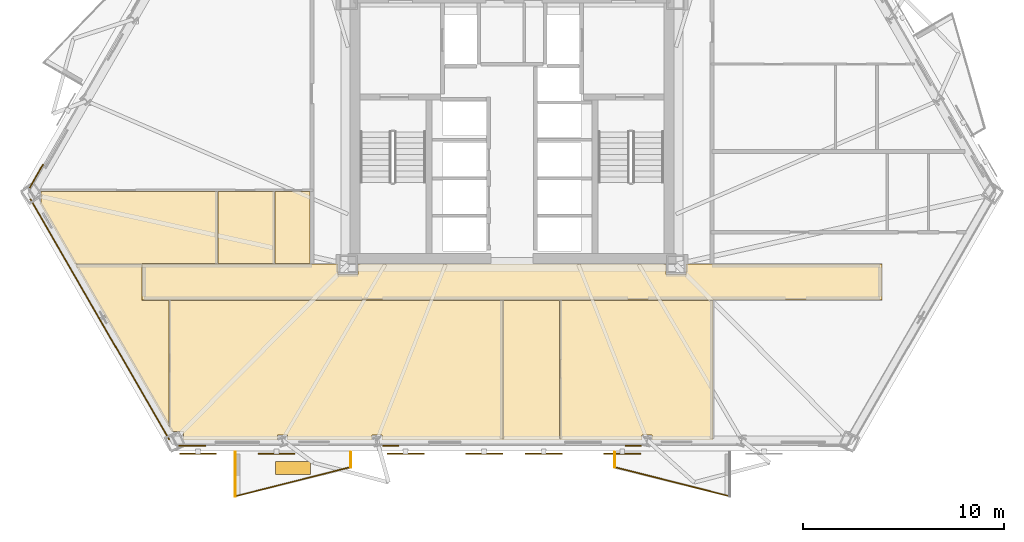
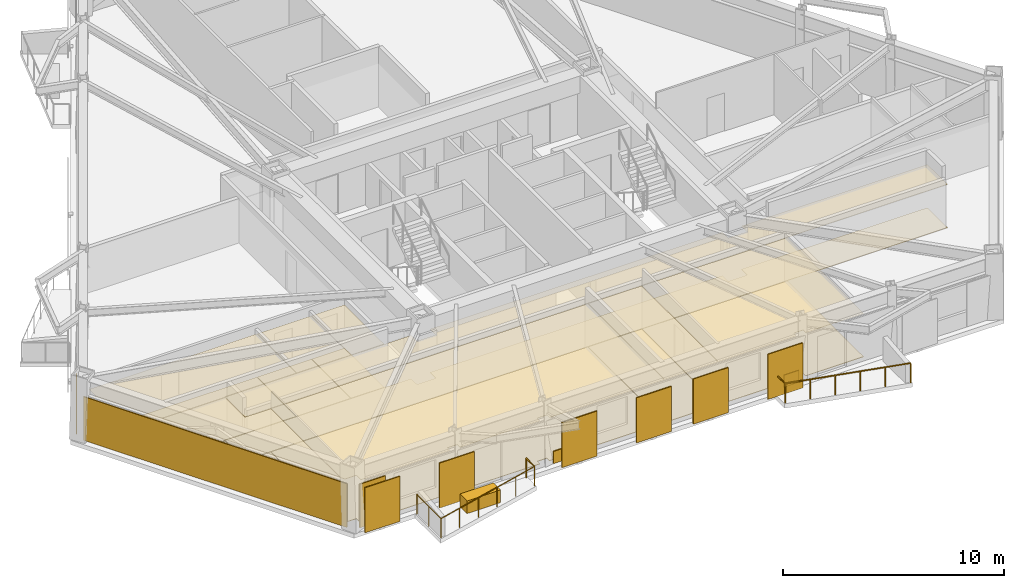
# One storey, part 7 of 10: 22 coverings, 6 shading devices, 5 railings.
"""IFC4 building model written with IfcOpenShell, lengths in metres."""

from ifc_helpers import new_model, si_unit, direction, frame, origin, origin_2d, place, context, subcontext, project, spatial, polyline, rectangle, circle, outline, extrude, material, layer, layer_set, type_object, element, save


model = new_model("IFC4")

# Units and contexts
model_context = context("Model", 3, precision=1e-05, world=origin(), true_north=direction((0.0, 1.0)))
body_context = subcontext(model_context, "Body", "Model", "MODEL_VIEW")
ifc_project = project(units=[si_unit("LENGTHUNIT", "METRE"), si_unit("AREAUNIT", "SQUARE_METRE"), si_unit("VOLUMEUNIT", "CUBIC_METRE"), si_unit("PLANEANGLEUNIT", "RADIAN"), si_unit("MASSUNIT", "GRAM", prefix="KILO")], contexts=[model_context])

# Site, building, storey
site_placement = place(None, origin())
site = spatial("IfcSite", under=ifc_project, at=site_placement, CompositionType="ELEMENT")
building_placement = place(site_placement, origin())
building = spatial("IfcBuilding", under=site, at=building_placement, Name="Oramaril Tower", CompositionType="ELEMENT")
storey_placement = place(building_placement, frame((0.0, 0.0, 56.10009765625)))
storey = spatial("IfcBuildingStorey", under=building, at=storey_placement, Name="L14", CompositionType="ELEMENT", Elevation=56.10009765625)

# Coverings
ifc_material_1 = material(Name="Mineral Fibre Acoustic Ceiling")
ifc_layer_1 = layer(ifc_material_1, 0.02001953125)
ifc_layer_set_1 = layer_set([ifc_layer_1], Name="CVT-CEIL")
covering_type_1 = type_object("IfcCoveringType", Name="CVT-CEIL", PredefinedType="CEILING", material=ifc_layer_set_1)
covering_1_placement = place(storey_placement, frame((0.0, 0.0, 2.39990234375)))
element("IfcCovering", 1, at=covering_1_placement, inside=storey, type_object=covering_type_1, Name="L14 Acoustic Suspended Ceiling 1", PredefinedType="CEILING", context=body_context, shape_type="SweptSolid", body=[
    extrude(outline(polyline([(28.85498046875, 10.5048828125), (29.844970703125, 10.5048828125), (29.844970703125, 11.030029296875), (45.155029296875, 11.030029296875), (45.155029296875, 10.5048828125), (46.14501953125, 10.5048828125), (46.14501953125, 11.030029296875), (55.8798828125, 11.030029296875), (55.8798828125, 9.219970703125), (19.1201171875, 9.219970703125), (19.1201171875, 11.030029296875), (28.85498046875, 11.030029296875), (28.85498046875, 10.5048828125)])), origin(), (0.0, 0.0, 1.0), 0.02001953125),
])
covering_2_placement = place(storey_placement, frame((0.0, 0.0, 2.39990234375)))
element("IfcCovering", 2, at=covering_2_placement, inside=storey, type_object=covering_type_1, Name="L14 Acoustic Suspended Ceiling 6", PredefinedType="CEILING", context=body_context, shape_type="SweptSolid", body=[
    extrude(outline(polyline([(31.0380859375, 2.5107421875), (30.5458984375, 2.5107421875), (30.5458984375, 2.2841796875), (26.34912109375, 2.2841796875), (26.34912109375, 2.5107421875), (25.84423828125, 2.5107421875), (25.84423828125, 2.2841796875), (21.173095703125, 2.2841796875), (21.173095703125, 2.693603515625), (20.5791015625, 2.693603515625), (20.469482421875, 2.883544921875), (20.469482421875, 9.199951171875), (37.0419921875, 9.199951171875), (37.0419921875, 2.2841796875), (31.0380859375, 2.2841796875), (31.0380859375, 2.5107421875)])), origin(), (0.0, 0.0, 1.0), 0.02001953125),
])
covering_3_placement = place(storey_placement, frame((0.0, 0.0, 2.39990234375)))
element("IfcCovering", 3, at=covering_3_placement, inside=storey, type_object=covering_type_1, Name="L14 Acoustic Suspended Ceiling 7", PredefinedType="CEILING", context=body_context, shape_type="SweptSolid", body=[
    extrude(outline(polyline([(15.7880859375, 10.991943359375), (19.10009765625, 10.991943359375), (19.10009765625, 9.219970703125), (19.10009765625, 9.218017578125), (19.100341796875, 9.216064453125), (19.100830078125, 9.214111328125), (19.1015625, 9.21240234375), (19.102294921875, 9.210693359375), (19.103515625, 9.208984375), (19.1044921875, 9.207275390625), (19.10595703125, 9.205810546875), (19.107421875, 9.20458984375), (19.10888671875, 9.203369140625), (19.110595703125, 9.202392578125), (19.1123046875, 9.201416015625), (19.1142578125, 9.200927734375), (19.1162109375, 9.200439453125), (19.117919921875, 9.2001953125), (19.1201171875, 9.199951171875), (20.449462890625, 9.199951171875), (20.449462890625, 2.918212890625), (15.7880859375, 10.991943359375)])), origin(), (0.0, 0.0, 1.0), 0.02001953125),
])
covering_4_placement = place(storey_placement, frame((0.0, 0.0, 2.39990234375)))
element("IfcCovering", 4, at=covering_4_placement, inside=storey, type_object=covering_type_1, Name="L14 Acoustic Suspended Ceiling 8", PredefinedType="CEILING", context=body_context, shape_type="SweptSolid", body=[
    extrude(outline(polyline([(44.4541015625, 2.5107421875), (43.9619140625, 2.5107421875), (43.9619140625, 2.2841796875), (39.884033203125, 2.2841796875), (39.884033203125, 9.199951171875), (47.491943359375, 9.199951171875), (47.491943359375, 2.2841796875), (44.4541015625, 2.2841796875), (44.4541015625, 2.5107421875)])), origin(), (0.0, 0.0, 1.0), 0.02001953125),
])
covering_5_placement = place(storey_placement, frame((0.0, 0.0, 2.39990234375)))
element("IfcCovering", 5, at=covering_5_placement, inside=storey, type_object=covering_type_1, Name="L14 Acoustic Suspended Ceiling 9", PredefinedType="CEILING", context=body_context, shape_type="SweptSolid", body=[
    extrude(outline(polyline([(37.06201171875, 2.2841796875), (37.06201171875, 9.199951171875), (39.864013671875, 9.199951171875), (39.864013671875, 2.2841796875), (37.06201171875, 2.2841796875)])), origin(), (0.0, 0.0, 1.0), 0.02001953125),
])
covering_6_placement = place(storey_placement, frame((0.0, 0.0, 2.39990234375)))
element("IfcCovering", 6, at=covering_6_placement, inside=storey, type_object=covering_type_1, Name="L14 Acoustic Suspended Ceiling 11", PredefinedType="CEILING", context=body_context, shape_type="SweptSolid", body=[
    extrude(outline(polyline([(14.022216796875, 14.05029296875), (14.085693359375, 14.05029296875), (14.085693359375, 14.631591796875), (22.858642578125, 14.631591796875), (22.858642578125, 11.050048828125), (19.1201171875, 11.050048828125), (19.117919921875, 11.0498046875), (19.1162109375, 11.049560546875), (19.1142578125, 11.049072265625), (19.1123046875, 11.048583984375), (19.110595703125, 11.047607421875), (19.10888671875, 11.046630859375), (19.107421875, 11.04541015625), (19.10595703125, 11.044189453125), (19.1044921875, 11.042724609375), (19.103515625, 11.041015625), (19.102294921875, 11.039306640625), (19.1015625, 11.03759765625), (19.100830078125, 11.035888671875), (19.100341796875, 11.033935546875), (19.10009765625, 11.031982421875), (19.10009765625, 11.030029296875), (19.10009765625, 11.011962890625), (15.7880859375, 11.011962890625), (15.785888671875, 11.011962890625), (15.7841796875, 11.01171875), (15.781982421875, 11.010986328125), (15.7802734375, 11.010498046875), (15.778564453125, 11.009521484375), (15.778076171875, 11.00927734375), (14.022216796875, 14.05029296875)])), origin(), (0.0, 0.0, 1.0), 0.02001953125),
])
covering_7_placement = place(storey_placement, frame((0.0, 0.0, 2.39990234375)))
element("IfcCovering", 7, at=covering_7_placement, inside=storey, type_object=covering_type_1, Name="L14 Acoustic Suspended Ceiling 12", PredefinedType="CEILING", context=body_context, shape_type="SweptSolid", body=[
    extrude(outline(polyline([(25.701904296875, 11.050048828125), (22.878662109375, 11.050048828125), (22.878662109375, 14.631591796875), (25.701904296875, 14.631591796875), (25.701904296875, 11.050048828125)])), origin(), (0.0, 0.0, 1.0), 0.02001953125),
])
covering_8_placement = place(storey_placement, frame((0.0, 0.0, 2.39990234375)))
element("IfcCovering", 8, at=covering_8_placement, inside=storey, type_object=covering_type_1, Name="L14 Acoustic Suspended Ceiling 13", PredefinedType="CEILING", context=body_context, shape_type="SweptSolid", body=[
    extrude(outline(polyline([(25.721923828125, 14.631591796875), (27.449951171875, 14.631591796875), (27.449951171875, 11.050048828125), (25.721923828125, 11.050048828125), (25.721923828125, 14.631591796875)])), origin(), (0.0, 0.0, 1.0), 0.02001953125),
])
ifc_material_2 = material(Name="Warm Cream Limestone", Category="masonry")
ifc_layer_2 = layer(ifc_material_2, 0.050048828125)
ifc_layer_set_2 = layer_set([ifc_layer_2], Name="CVT-CLD")
covering_type_2 = type_object("IfcCoveringType", Name="CVT-CLD", PredefinedType="CLADDING", material=ifc_layer_set_2)
covering_9_placement = place(storey_placement, frame((17.011474609375, 8.27099609375, 0.039794921875), z_axis=(0.0, 0.0, 1.0), x_axis=(0.500001511499, -0.866024531118, 0.0)))
element("IfcCovering", 9, at=covering_9_placement, inside=storey, type_object=covering_type_2, Name="L14 Warm Cream Limestone Cladding", PredefinedType="CLADDING", context=body_context, shape_type="SweptSolid", body=[
    extrude(rectangle(XDim=13.798095703125, YDim=0.050048828125, at=origin_2d()), origin(), (0.0, 0.0, 1.0), 2.4140625),
])
covering_10_placement = place(storey_placement, frame((21.60302734375, 1.983154296875, 0.039794921875), z_axis=(0.0, 0.0, 1.0), x_axis=(1.0, 0.0, 0.0)))
element("IfcCovering", 10, at=covering_10_placement, inside=storey, type_object=covering_type_2, Name="L14 Warm Cream Limestone Cladding", PredefinedType="CLADDING", context=body_context, shape_type="SweptSolid", body=[
    extrude(rectangle(XDim=1.35009765625, YDim=0.050048828125, at=origin_2d()), origin(), (0.0, 0.0, 1.0), 2.4140625),
])
for number, where, z_axis, x_axis, name in (
    (11, (31.47119140625, 1.983154296875, 0.0400390625), (0.0, 0.0, 1.0), (1.0, 0.0, 0.0), "L14 Warm Cream Limestone Spandrel Cladding"),
    (12, (43.52880859375, 1.983154296875, 0.0400390625), (0.0, 0.0, 1.0), (1.0, 0.0, 0.0), "L14 Warm Cream Limestone Spandrel Cladding"),
):
    element("IfcCovering", number, at=place(storey_placement, frame(where, z_axis=z_axis, x_axis=x_axis)), inside=storey, type_object=covering_type_2, Name=name, PredefinedType="CLADDING", context=body_context, shape_type="SweptSolid", body=[
        extrude(rectangle(XDim=0.800048828125, YDim=0.050048828125, at=origin_2d()), origin(), (0.0, 0.0, 1.0), 0.679931640625),
    ])
covering_11_placement = place(storey_placement, frame((13.862060546875, 15.39111328125, 0.039794921875), z_axis=(0.0, 0.0, 1.0), x_axis=(-0.4999984885, -0.866026276448, 0.0)))
element("IfcCovering", 13, at=covering_11_placement, inside=storey, type_object=covering_type_2, Name="L14 Warm Cream Limestone Cladding", PredefinedType="CLADDING", context=body_context, shape_type="SweptSolid", body=[
    extrude(rectangle(XDim=1.35009765625, YDim=0.050048828125, at=origin_2d()), origin(), (0.0, 0.0, 1.0), 2.4140625),
])
covering_12_placement = place(storey_placement, frame((26.612548828125, 0.879638671875, 0.0), z_axis=(0.0, 0.0, 1.0), x_axis=(1.0, 0.0, 0.0)))
element("IfcCovering", 14, at=covering_12_placement, inside=storey, type_object=covering_type_2, Name="L14 Structural Tree Planter Box L14-BAL-S1", PredefinedType="CLADDING", context=body_context, shape_type="SweptSolid", body=[
    extrude(rectangle(XDim=1.75, YDim=0.64990234375, at=origin_2d()), origin(), (0.0, 0.0, 1.0), 0.699951171875),
])
ifc_material_3 = material(Name="Honed Quartzite Stone Flooring", Category="masonry")
ifc_layer_3 = layer(ifc_material_3, 0.02490234375)
ifc_layer_set_3 = layer_set([ifc_layer_3], Name="CVT-FLR")
covering_type_3 = type_object("IfcCoveringType", Name="CVT-FLR", PredefinedType="FLOORING", material=ifc_layer_set_3)
covering_13_placement = place(storey_placement, origin())
element("IfcCovering", 15, at=covering_13_placement, inside=storey, type_object=covering_type_3, Name="L14 Honed Stone Floor Finish 1", PredefinedType="FLOORING", context=body_context, shape_type="SweptSolid", body=[
    extrude(outline(polyline([(28.85498046875, 10.5048828125), (29.844970703125, 10.5048828125), (29.844970703125, 11.030029296875), (45.155029296875, 11.030029296875), (45.155029296875, 10.5048828125), (46.14501953125, 10.5048828125), (46.14501953125, 11.030029296875), (55.8798828125, 11.030029296875), (55.8798828125, 9.219970703125), (19.1201171875, 9.219970703125), (19.1201171875, 11.030029296875), (28.85498046875, 11.030029296875), (28.85498046875, 10.5048828125)])), origin(), (0.0, 0.0, 1.0), 0.02490234375),
])
covering_14_placement = place(storey_placement, origin())
element("IfcCovering", 16, at=covering_14_placement, inside=storey, type_object=covering_type_3, Name="L14 Honed Stone Floor Finish 6", PredefinedType="FLOORING", context=body_context, shape_type="SweptSolid", body=[
    extrude(outline(polyline([(31.0380859375, 2.5107421875), (30.5458984375, 2.5107421875), (30.5458984375, 2.2841796875), (26.34912109375, 2.2841796875), (26.34912109375, 2.5107421875), (25.84423828125, 2.5107421875), (25.84423828125, 2.2841796875), (21.173095703125, 2.2841796875), (21.173095703125, 2.693603515625), (20.5791015625, 2.693603515625), (20.469482421875, 2.883544921875), (20.469482421875, 9.199951171875), (37.0419921875, 9.199951171875), (37.0419921875, 2.2841796875), (31.0380859375, 2.2841796875), (31.0380859375, 2.5107421875)])), origin(), (0.0, 0.0, 1.0), 0.02490234375),
])
covering_15_placement = place(storey_placement, origin())
element("IfcCovering", 17, at=covering_15_placement, inside=storey, type_object=covering_type_3, Name="L14 Honed Stone Floor Finish 7", PredefinedType="FLOORING", context=body_context, shape_type="SweptSolid", body=[
    extrude(outline(polyline([(15.7880859375, 10.991943359375), (19.10009765625, 10.991943359375), (19.10009765625, 9.219970703125), (19.10009765625, 9.218017578125), (19.100341796875, 9.216064453125), (19.100830078125, 9.214111328125), (19.1015625, 9.21240234375), (19.102294921875, 9.210693359375), (19.103515625, 9.208984375), (19.1044921875, 9.207275390625), (19.10595703125, 9.205810546875), (19.107421875, 9.20458984375), (19.10888671875, 9.203369140625), (19.110595703125, 9.202392578125), (19.1123046875, 9.201416015625), (19.1142578125, 9.200927734375), (19.1162109375, 9.200439453125), (19.117919921875, 9.2001953125), (19.1201171875, 9.199951171875), (20.449462890625, 9.199951171875), (20.449462890625, 2.918212890625), (15.7880859375, 10.991943359375)])), origin(), (0.0, 0.0, 1.0), 0.02490234375),
])
covering_16_placement = place(storey_placement, origin())
element("IfcCovering", 18, at=covering_16_placement, inside=storey, type_object=covering_type_3, Name="L14 Honed Stone Floor Finish 8", PredefinedType="FLOORING", context=body_context, shape_type="SweptSolid", body=[
    extrude(outline(polyline([(44.4541015625, 2.5107421875), (43.9619140625, 2.5107421875), (43.9619140625, 2.2841796875), (39.884033203125, 2.2841796875), (39.884033203125, 9.199951171875), (47.491943359375, 9.199951171875), (47.491943359375, 2.2841796875), (44.4541015625, 2.2841796875), (44.4541015625, 2.5107421875)])), origin(), (0.0, 0.0, 1.0), 0.02490234375),
])
covering_17_placement = place(storey_placement, origin())
element("IfcCovering", 19, at=covering_17_placement, inside=storey, type_object=covering_type_3, Name="L14 Honed Stone Floor Finish 9", PredefinedType="FLOORING", context=body_context, shape_type="SweptSolid", body=[
    extrude(outline(polyline([(37.06201171875, 2.2841796875), (37.06201171875, 9.199951171875), (39.864013671875, 9.199951171875), (39.864013671875, 2.2841796875), (37.06201171875, 2.2841796875)])), origin(), (0.0, 0.0, 1.0), 0.02490234375),
])
covering_18_placement = place(storey_placement, origin())
element("IfcCovering", 20, at=covering_18_placement, inside=storey, type_object=covering_type_3, Name="L14 Honed Stone Floor Finish 11", PredefinedType="FLOORING", context=body_context, shape_type="SweptSolid", body=[
    extrude(outline(polyline([(14.022216796875, 14.05029296875), (14.085693359375, 14.05029296875), (14.085693359375, 14.631591796875), (22.858642578125, 14.631591796875), (22.858642578125, 11.050048828125), (19.1201171875, 11.050048828125), (19.117919921875, 11.0498046875), (19.1162109375, 11.049560546875), (19.1142578125, 11.049072265625), (19.1123046875, 11.048583984375), (19.110595703125, 11.047607421875), (19.10888671875, 11.046630859375), (19.107421875, 11.04541015625), (19.10595703125, 11.044189453125), (19.1044921875, 11.042724609375), (19.103515625, 11.041015625), (19.102294921875, 11.039306640625), (19.1015625, 11.03759765625), (19.100830078125, 11.035888671875), (19.100341796875, 11.033935546875), (19.10009765625, 11.031982421875), (19.10009765625, 11.030029296875), (19.10009765625, 11.011962890625), (15.7880859375, 11.011962890625), (15.785888671875, 11.011962890625), (15.7841796875, 11.01171875), (15.781982421875, 11.010986328125), (15.7802734375, 11.010498046875), (15.778564453125, 11.009521484375), (15.778076171875, 11.00927734375), (14.022216796875, 14.05029296875)])), origin(), (0.0, 0.0, 1.0), 0.02490234375),
])
covering_19_placement = place(storey_placement, origin())
element("IfcCovering", 21, at=covering_19_placement, inside=storey, type_object=covering_type_3, Name="L14 Honed Stone Floor Finish 12", PredefinedType="FLOORING", context=body_context, shape_type="SweptSolid", body=[
    extrude(outline(polyline([(25.701904296875, 11.050048828125), (22.878662109375, 11.050048828125), (22.878662109375, 14.631591796875), (25.701904296875, 14.631591796875), (25.701904296875, 11.050048828125)])), origin(), (0.0, 0.0, 1.0), 0.02490234375),
])
covering_20_placement = place(storey_placement, origin())
element("IfcCovering", 22, at=covering_20_placement, inside=storey, type_object=covering_type_3, Name="L14 Honed Stone Floor Finish 13", PredefinedType="FLOORING", context=body_context, shape_type="SweptSolid", body=[
    extrude(outline(polyline([(25.721923828125, 14.631591796875), (27.449951171875, 14.631591796875), (27.449951171875, 11.050048828125), (25.721923828125, 11.050048828125), (25.721923828125, 14.631591796875)])), origin(), (0.0, 0.0, 1.0), 0.02490234375),
])

# Railings
ifc_material_4 = material(Name="Stainless Steel 316L", Category="steel")
railing_type = type_object("IfcRailingType", Name="RLT-GRD", PredefinedType="GUARDRAIL", material=ifc_material_4)
railing_1_placement = place(storey_placement, frame((29.4775390625, 1.668212890625, 0.0)))
element("IfcRailing", 23, at=railing_1_placement, inside=storey, type_object=railing_type, Name="L14 Balcony Guardrail L14-BAL-S1.1", PredefinedType="GUARDRAIL", context=body_context, shape_type="SweptSolid", body=[
    extrude(circle(Radius=0.02392578125, at=origin_2d()), frame((0.0, 0.0, 1.076171875), z_axis=(0.0, -1.0, 0.0), x_axis=(1.0, 0.0, 0.0)), (0.0, 0.0, 1.0), 0.741943359375),
    extrude(circle(Radius=0.02099609375, at=origin_2d()), origin(), (0.0, 0.0, 1.0), 1.052001953125),
    extrude(circle(Radius=0.02099609375, at=origin_2d()), frame((0.0, -0.741943359375, 0.0)), (0.0, 0.0, 1.0), 1.052001953125),
])
railing_2_placement = place(storey_placement, frame((29.4775390625, 0.92626953125, 0.0)))
element("IfcRailing", 24, at=railing_2_placement, inside=storey, type_object=railing_type, Name="L14 Balcony Guardrail L14-BAL-S1.2", PredefinedType="GUARDRAIL", context=body_context, shape_type="SweptSolid", body=[
    extrude(circle(Radius=0.02392578125, at=origin_2d()), frame((0.0, 0.0, 1.076171875), z_axis=(-0.969443611257, -0.245314256807, 0.0), x_axis=(0.245314256807, -0.969443611257, 0.0)), (0.0, 0.0, 1.0), 5.91064453125),
    extrude(circle(Radius=0.02099609375, at=origin_2d()), origin(), (0.0, 0.0, 1.0), 1.052001953125),
    extrude(circle(Radius=0.02099609375, at=origin_2d()), frame((-1.14599609375, -0.2900390625, 0.0)), (0.0, 0.0, 1.0), 1.052001953125),
    extrude(circle(Radius=0.02099609375, at=origin_2d()), frame((-2.2919921875, -0.580078125, 0.0)), (0.0, 0.0, 1.0), 1.052001953125),
    extrude(circle(Radius=0.02099609375, at=origin_2d()), frame((-3.43798828125, -0.869873046875, 0.0)), (0.0, 0.0, 1.0), 1.052001953125),
    extrude(circle(Radius=0.02099609375, at=origin_2d()), frame((-4.583984375, -1.159912109375, 0.0)), (0.0, 0.0, 1.0), 1.052001953125),
    extrude(circle(Radius=0.02099609375, at=origin_2d()), frame((-5.72998046875, -1.449951171875, 0.0)), (0.0, 0.0, 1.0), 1.052001953125),
])
railing_3_placement = place(storey_placement, frame((23.74755859375, -0.523681640625, 0.0)))
element("IfcRailing", 25, at=railing_3_placement, inside=storey, type_object=railing_type, Name="L14 Balcony Guardrail L14-BAL-S1.3", PredefinedType="GUARDRAIL", context=body_context, shape_type="SweptSolid", body=[
    extrude(circle(Radius=0.02392578125, at=origin_2d()), frame((0.0, 0.0, 1.076171875), z_axis=(0.0, 1.0, 0.0), x_axis=(-1.0, 0.0, 0.0)), (0.0, 0.0, 1.0), 2.19189453125),
    extrude(circle(Radius=0.02099609375, at=origin_2d()), origin(), (0.0, 0.0, 1.0), 1.052001953125),
    extrude(circle(Radius=0.02099609375, at=origin_2d()), frame((0.0, 1.095947265625, 0.0)), (0.0, 0.0, 1.0), 1.052001953125),
    extrude(circle(Radius=0.02099609375, at=origin_2d()), frame((0.0, 2.19189453125, 0.0)), (0.0, 0.0, 1.0), 1.052001953125),
])
railing_4_placement = place(storey_placement, frame((48.327392578125, -0.523681640625, 0.0)))
element("IfcRailing", 26, at=railing_4_placement, inside=storey, type_object=railing_type, Name="L14 Balcony Guardrail L14-BAL-S2.2", PredefinedType="GUARDRAIL", context=body_context, shape_type="SweptSolid", body=[
    extrude(circle(Radius=0.02392578125, at=origin_2d()), frame((0.0, 0.0, 1.076171875), z_axis=(-0.969443611257, 0.245314256807, 0.0), x_axis=(-0.245314256807, -0.969443611257, 0.0)), (0.0, 0.0, 1.0), 5.91064453125),
    extrude(circle(Radius=0.02099609375, at=origin_2d()), origin(), (0.0, 0.0, 1.0), 1.052001953125),
    extrude(circle(Radius=0.02099609375, at=origin_2d()), frame((-1.14599609375, 0.2900390625, 0.0)), (0.0, 0.0, 1.0), 1.052001953125),
    extrude(circle(Radius=0.02099609375, at=origin_2d()), frame((-2.2919921875, 0.580078125, 0.0)), (0.0, 0.0, 1.0), 1.052001953125),
    extrude(circle(Radius=0.02099609375, at=origin_2d()), frame((-3.43798828125, 0.869873046875, 0.0)), (0.0, 0.0, 1.0), 1.052001953125),
    extrude(circle(Radius=0.02099609375, at=origin_2d()), frame((-4.583984375, 1.159912109375, 0.0)), (0.0, 0.0, 1.0), 1.052001953125),
    extrude(circle(Radius=0.02099609375, at=origin_2d()), frame((-5.72998046875, 1.449951171875, 0.0)), (0.0, 0.0, 1.0), 1.052001953125),
])
railing_5_placement = place(storey_placement, frame((42.597412109375, 0.92626953125, 0.0)))
element("IfcRailing", 27, at=railing_5_placement, inside=storey, type_object=railing_type, Name="L14 Balcony Guardrail L14-BAL-S2.3", PredefinedType="GUARDRAIL", context=body_context, shape_type="SweptSolid", body=[
    extrude(circle(Radius=0.02392578125, at=origin_2d()), frame((0.0, 0.0, 1.076171875), z_axis=(0.0, 1.0, 0.0), x_axis=(-1.0, 0.0, 0.0)), (0.0, 0.0, 1.0), 0.741943359375),
    extrude(circle(Radius=0.02099609375, at=origin_2d()), origin(), (0.0, 0.0, 1.0), 1.052001953125),
    extrude(circle(Radius=0.02099609375, at=origin_2d()), frame((0.0, 0.741943359375, 0.0)), (0.0, 0.0, 1.0), 1.052001953125),
])

# Shading devices
for number, where, z_axis, x_axis, name in (
    (28, (21.896728515625, 1.59619140625, -0.02001953125), (0.0, 0.0, 1.0), (1.0, 0.0, 0.0), "L14 Perforated Ceramic Solar Screen"),
    (29, (25.796630859375, 1.59619140625, -0.02001953125), (0.0, 0.0, 1.0), (1.0, 0.0, 0.0), "L14 Perforated Ceramic Solar Screen"),
    (30, (32.21484375, 1.59619140625, -0.02001953125), (0.0, 0.0, 1.0), (1.0, 0.0, 0.0), "L14 Perforated Ceramic Solar Screen"),
    (31, (36.114990234375, 1.59619140625, -0.02001953125), (0.0, 0.0, 1.0), (1.0, 0.0, 0.0), "L14 Perforated Ceramic Solar Screen"),
    (32, (39.080810546875, 1.59619140625, -0.02001953125), (0.0, 0.0, 1.0), (1.0, 0.0, 0.0), "L14 Perforated Ceramic Solar Screen"),
    (33, (42.98095703125, 1.59619140625, -0.02001953125), (0.0, 0.0, 1.0), (1.0, 0.0, 0.0), "L14 Perforated Ceramic Solar Screen"),
):
    element("IfcShadingDevice", number, at=place(storey_placement, frame(where, z_axis=z_axis, x_axis=x_axis)), inside=storey, Name=name, ObjectType="SCREEN", PredefinedType="USERDEFINED", context=body_context, shape_type="SweptSolid", body=[
        extrude(rectangle(XDim=1.8330078125, YDim=0.050048828125, at=origin_2d()), origin(), (0.0, 0.0, 1.0), 2.493896484375),
    ])

save(model, "model.ifc")
